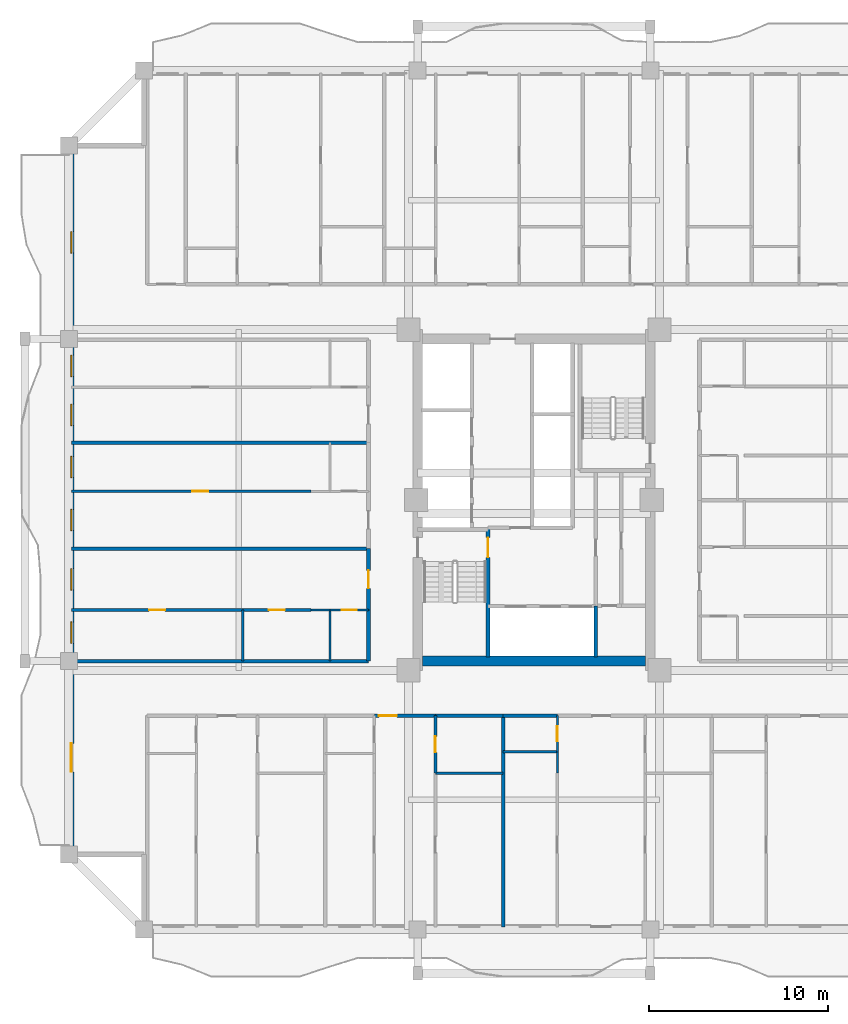
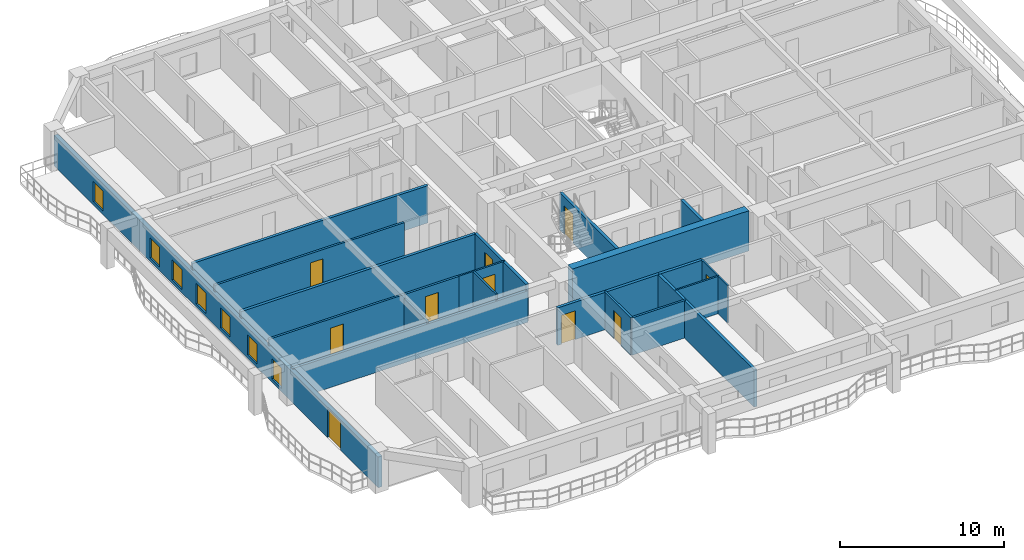
# One storey, part 3 of 14: 25 walls, 10 doors, 7 windows, 17 openings.
"""IFC4 building model written with IfcOpenShell, lengths in metres."""

from ifc_helpers import new_model, si_unit, direction, frame, frame_2d, origin, place, context, subcontext, project, spatial, rectangle, extrude, source, transform, mapped, material, layer, layer_set, type_object, element, fill, save


model = new_model("IFC4")

# Units and contexts
model_context = context("Model", 3, precision=1e-05, world=origin(), true_north=direction((0.0, 1.0)))
body_context = subcontext(model_context, "Body", "Model", "MODEL_VIEW")
ifc_project = project(units=[si_unit("LENGTHUNIT", "METRE"), si_unit("AREAUNIT", "SQUARE_METRE"), si_unit("VOLUMEUNIT", "CUBIC_METRE"), si_unit("PLANEANGLEUNIT", "RADIAN"), si_unit("MASSUNIT", "GRAM", prefix="KILO")], contexts=[model_context])

# Site, building, storey
site_placement = place(None, origin())
site = spatial("IfcSite", under=ifc_project, at=site_placement, CompositionType="ELEMENT")
building_placement = place(site_placement, origin())
building = spatial("IfcBuilding", under=site, at=building_placement, Name="Saelheon Loggia Tower", CompositionType="ELEMENT")
storey_placement = place(building_placement, frame((0.0, 0.0, 86.85009765625)))
storey = spatial("IfcBuildingStorey", under=building, at=storey_placement, Name="L27", CompositionType="ELEMENT", Elevation=86.85009765625)

# Wall
ifc_material_1 = material(Name="Concrete C50/60", Category="concrete")
ifc_layer_1 = layer(ifc_material_1, 0.550048828125)
ifc_layer_set_1 = layer_set([ifc_layer_1], Name="Concrete C50/60")
wall_type_1 = type_object("IfcWallType", Name="Wall_CoreShear_550", PredefinedType="SHEAR", material=ifc_layer_set_1)
wall_1_placement = place(storey_placement, frame((31.77490234375, 18.0, 0.0), z_axis=(0.0, 0.0, 1.0), x_axis=(1.0, 0.0, 0.0)))
element("IfcWall", 1, at=wall_1_placement, inside=storey, type_object=wall_type_1, Name="L27 Core Shear Wall South", PredefinedType="SHEAR", context=body_context, shape_type="SweptSolid", body=[
    extrude(rectangle(XDim=12.4501953125, YDim=0.550048828125, at=frame_2d((6.22509765625, 0.0))), origin(), (0.0, 0.0, 1.0), 3.0),
])

# Wall, openings, windows, door
ifc_material_2 = material(Name="Architectural Precast Concrete C40/50", Category="concrete")
ifc_layer_2 = layer(ifc_material_2, 0.280029296875)
ifc_layer_set_2 = layer_set([ifc_layer_2], Name="Architectural Precast Concrete C40/50")
wall_type_2 = type_object("IfcWallType", Name="Wall_Ext_Loggia_280", PredefinedType="SOLIDWALL", material=ifc_layer_set_2)
wall_2_placement = place(storey_placement, frame((12.139892578125, 7.199951171875, 0.0), z_axis=(0.0, 0.0, 1.0), x_axis=(0.0, 1.0, 0.0)))
wall_2 = element("IfcWall", 2, at=wall_2_placement, inside=storey, type_object=wall_type_2, Name="L27 West Loggia Inner Wall", PredefinedType="SOLIDWALL", context=body_context, shape_type="SweptSolid", body=[
    extrude(rectangle(XDim=39.60009765625, YDim=0.280029296875, at=frame_2d((19.800048828125, 0.0))), origin(), (0.0, 0.0, 1.0), 2.27978515625),
])
opening_1_placement = place(wall_2_placement, frame((4.60009765625, 0.0, 0.0)))
opening_1 = element("IfcOpeningElement", 3, at=opening_1_placement, cuts=wall_2, Name="Opening DLG-1", PredefinedType="OPENING", context=body_context, shape_type="SweptSolid", body=[
    extrude(rectangle(XDim=1.60009765625, YDim=2.14990234375, at=frame_2d((0.800048828125, 1.074951171875))), frame((0.0, 0.152099609375, 0.0), z_axis=(0.0, -1.0, 0.0), x_axis=(1.0, 0.0, 0.0)), (0.0, 0.0, 1.0), 0.303955078125),
])
opening_2_placement = place(wall_2_placement, frame((11.782470703125, 0.0, 0.25)))
opening_2 = element("IfcOpeningElement", 4, at=opening_2_placement, cuts=wall_2, Name="Opening WN-03", PredefinedType="OPENING", context=body_context, shape_type="SweptSolid", body=[
    extrude(rectangle(XDim=1.199951171875, YDim=1.5, at=frame_2d((0.60009765625, 0.75))), frame((0.0, 0.152099609375, 0.0), z_axis=(0.0, -1.0, 0.0), x_axis=(1.0, 0.0, 0.0)), (0.0, 0.0, 1.0), 0.303955078125),
])
opening_3_placement = place(wall_2_placement, frame((14.766357421875, 0.0, 0.25)))
opening_3 = element("IfcOpeningElement", 5, at=opening_3_placement, cuts=wall_2, Name="Opening WN-03", PredefinedType="OPENING", context=body_context, shape_type="SweptSolid", body=[
    extrude(rectangle(XDim=1.199951171875, YDim=1.5, at=frame_2d((0.60009765625, 0.75))), frame((0.0, 0.152099609375, 0.0), z_axis=(0.0, -1.0, 0.0), x_axis=(1.0, 0.0, 0.0)), (0.0, 0.0, 1.0), 0.303955078125),
])
opening_4_placement = place(wall_2_placement, frame((18.081787109375, 0.0, 0.25)))
opening_4 = element("IfcOpeningElement", 6, at=opening_4_placement, cuts=wall_2, Name="Opening WN-03", PredefinedType="OPENING", context=body_context, shape_type="SweptSolid", body=[
    extrude(rectangle(XDim=1.199951171875, YDim=1.5, at=frame_2d((0.60009765625, 0.75))), frame((0.0, 0.152099609375, 0.0), z_axis=(0.0, -1.0, 0.0), x_axis=(1.0, 0.0, 0.0)), (0.0, 0.0, 1.0), 0.303955078125),
])
opening_5_placement = place(wall_2_placement, frame((21.043701171875, 0.0, 0.25)))
opening_5 = element("IfcOpeningElement", 7, at=opening_5_placement, cuts=wall_2, Name="Opening WN-03", PredefinedType="OPENING", context=body_context, shape_type="SweptSolid", body=[
    extrude(rectangle(XDim=1.199951171875, YDim=1.5, at=frame_2d((0.60009765625, 0.75))), frame((0.0, 0.152099609375, 0.0), z_axis=(0.0, -1.0, 0.0), x_axis=(1.0, 0.0, 0.0)), (0.0, 0.0, 1.0), 0.303955078125),
])
opening_6_placement = place(wall_2_placement, frame((23.956787109375, 0.0, 0.25)))
opening_6 = element("IfcOpeningElement", 8, at=opening_6_placement, cuts=wall_2, Name="Opening WN-03", PredefinedType="OPENING", context=body_context, shape_type="SweptSolid", body=[
    extrude(rectangle(XDim=1.199951171875, YDim=1.5, at=frame_2d((0.60009765625, 0.75))), frame((0.0, 0.152099609375, 0.0), z_axis=(0.0, -1.0, 0.0), x_axis=(1.0, 0.0, 0.0)), (0.0, 0.0, 1.0), 0.303955078125),
])
opening_7_placement = place(wall_2_placement, frame((26.6962890625, 0.0, 0.25)))
opening_7 = element("IfcOpeningElement", 9, at=opening_7_placement, cuts=wall_2, Name="Opening WN-03", PredefinedType="OPENING", context=body_context, shape_type="SweptSolid", body=[
    extrude(rectangle(XDim=1.199951171875, YDim=1.5, at=frame_2d((0.60009765625, 0.75))), frame((0.0, 0.152099609375, 0.0), z_axis=(0.0, -1.0, 0.0), x_axis=(1.0, 0.0, 0.0)), (0.0, 0.0, 1.0), 0.303955078125),
])
opening_8_placement = place(wall_2_placement, frame((33.60009765625, 0.0, 0.25)))
opening_8 = element("IfcOpeningElement", 10, at=opening_8_placement, cuts=wall_2, Name="Opening WN-03", PredefinedType="OPENING", context=body_context, shape_type="SweptSolid", body=[
    extrude(rectangle(XDim=1.199951171875, YDim=1.5, at=frame_2d((0.60009765625, 0.75))), frame((0.0, 0.152099609375, 0.0), z_axis=(0.0, -1.0, 0.0), x_axis=(1.0, 0.0, 0.0)), (0.0, 0.0, 1.0), 0.303955078125),
])
ifc_material_3 = material(Name="Thermal-Break Aluminium and Triple Low-E Glass", Category="aluminium")
window_type = type_object("IfcWindowType", Name="Win_Bedroom_1200x1500", PartitioningType="SINGLE_PANEL", PredefinedType="WINDOW", material=ifc_material_3)
shared_shape_1 = source(origin(), body_context, "Body", "SweptSolid", [
    extrude(rectangle(XDim=1.199951171875, YDim=1.5, at=frame_2d((0.60009765625, 0.75))), frame((0.0, 0.030029296875, 0.0), z_axis=(0.0, -1.0, 0.0), x_axis=(1.0, 0.0, 0.0)), (0.0, 0.0, 1.0), 0.06005859375),
])
window_1_placement = place(opening_2_placement, origin())
window_1 = element("IfcWindow", 11, at=window_1_placement, inside=storey, type_object=window_type, Name="L27 W Dwelling Window 2", OverallHeight=1.5, OverallWidth=1.199951171875, PartitioningType="SINGLE_PANEL", PredefinedType="WINDOW", context=body_context, shape_type="MappedRepresentation", body=[
    mapped(shared_shape_1, transform((0.0, 0.0, 0.0), scale=1.0)),
])
fill(opening_2, window_1)
window_2_placement = place(opening_3_placement, origin())
window_2 = element("IfcWindow", 12, at=window_2_placement, inside=storey, type_object=window_type, Name="L27 W Dwelling Window 3", OverallHeight=1.5, OverallWidth=1.199951171875, PartitioningType="SINGLE_PANEL", PredefinedType="WINDOW", context=body_context, shape_type="MappedRepresentation", body=[
    mapped(shared_shape_1, transform((0.0, 0.0, 0.0), scale=1.0)),
])
fill(opening_3, window_2)
window_3_placement = place(opening_4_placement, origin())
window_3 = element("IfcWindow", 13, at=window_3_placement, inside=storey, type_object=window_type, Name="L27 W Dwelling Window 4", OverallHeight=1.5, OverallWidth=1.199951171875, PartitioningType="SINGLE_PANEL", PredefinedType="WINDOW", context=body_context, shape_type="MappedRepresentation", body=[
    mapped(shared_shape_1, transform((0.0, 0.0, 0.0), scale=1.0)),
])
fill(opening_4, window_3)
window_4_placement = place(opening_5_placement, origin())
window_4 = element("IfcWindow", 14, at=window_4_placement, inside=storey, type_object=window_type, Name="L27 W Dwelling Window 5", OverallHeight=1.5, OverallWidth=1.199951171875, PartitioningType="SINGLE_PANEL", PredefinedType="WINDOW", context=body_context, shape_type="MappedRepresentation", body=[
    mapped(shared_shape_1, transform((0.0, 0.0, 0.0), scale=1.0)),
])
fill(opening_5, window_4)
window_5_placement = place(opening_6_placement, origin())
window_5 = element("IfcWindow", 15, at=window_5_placement, inside=storey, type_object=window_type, Name="L27 W Dwelling Window 6", OverallHeight=1.5, OverallWidth=1.199951171875, PartitioningType="SINGLE_PANEL", PredefinedType="WINDOW", context=body_context, shape_type="MappedRepresentation", body=[
    mapped(shared_shape_1, transform((0.0, 0.0, 0.0), scale=1.0)),
])
fill(opening_6, window_5)
window_6_placement = place(opening_7_placement, origin())
window_6 = element("IfcWindow", 16, at=window_6_placement, inside=storey, type_object=window_type, Name="L27 W Dwelling Window 7", OverallHeight=1.5, OverallWidth=1.199951171875, PartitioningType="SINGLE_PANEL", PredefinedType="WINDOW", context=body_context, shape_type="MappedRepresentation", body=[
    mapped(shared_shape_1, transform((0.0, 0.0, 0.0), scale=1.0)),
])
fill(opening_7, window_6)
window_7_placement = place(opening_8_placement, origin())
window_7 = element("IfcWindow", 17, at=window_7_placement, inside=storey, type_object=window_type, Name="L27 W Dwelling Window 8", OverallHeight=1.5, OverallWidth=1.199951171875, PartitioningType="SINGLE_PANEL", PredefinedType="WINDOW", context=body_context, shape_type="MappedRepresentation", body=[
    mapped(shared_shape_1, transform((0.0, 0.0, 0.0), scale=1.0)),
])
fill(opening_8, window_7)
ifc_material_4 = material(Name="Thermal-Break Aluminium Sliding Glazed Door", Category="aluminium")
door_type_1 = type_object("IfcDoorType", Name="Door_LoggiaSlide_1600", OperationType="SLIDING_TO_LEFT", PredefinedType="DOOR", material=ifc_material_4)
shared_shape_2 = source(origin(), body_context, "Body", "SweptSolid", [
    extrude(rectangle(XDim=1.60009765625, YDim=2.14990234375, at=frame_2d((0.800048828125, 1.074951171875))), frame((0.0, 0.02490234375, 0.0), z_axis=(0.0, -1.0, 0.0), x_axis=(1.0, 0.0, 0.0)), (0.0, 0.0, 1.0), 0.050048828125),
])
door_1_placement = place(opening_1_placement, origin())
door_1 = element("IfcDoor", 18, at=door_1_placement, inside=storey, type_object=door_type_1, Name="L27 W Loggia Access Door", OperationType="SLIDING_TO_LEFT", OverallHeight=2.14990234375, OverallWidth=1.60009765625, PredefinedType="DOOR", context=body_context, shape_type="MappedRepresentation", body=[
    mapped(shared_shape_2, transform((0.0, 0.0, 0.0), scale=1.0)),
])
fill(opening_1, door_1)

# Wall
ifc_material_5 = material(Name="Lightweight Autoclaved Aerated Concrete Block and Acoustic Gypsum", Category="concrete")
ifc_layer_3 = layer(ifc_material_5, 0.14990234375)
ifc_layer_set_3 = layer_set([ifc_layer_3], Name="Lightweight Autoclaved Aerated Concrete Block and Acoustic Gypsum")
wall_type_3 = type_object("IfcWallType", Name="Wall_Part_150", PredefinedType="PARTITIONING", material=ifc_layer_set_3)
wall_3_placement = place(storey_placement, frame((32.4912109375, 11.72998046875, 0.0), z_axis=(0.0, 0.0, 1.0), x_axis=(1.0, 0.0, 0.0)))
element("IfcWall", 19, at=wall_3_placement, inside=storey, type_object=wall_type_3, Name="L27 S Partition V18", PredefinedType="PARTITIONING", context=body_context, shape_type="SweptSolid", body=[
    extrude(rectangle(XDim=3.779296875, YDim=0.14990234375, at=frame_2d((1.8896484375, 0.0))), origin(), (0.0, 0.0, 1.0), 2.789794921875),
])

# Wall, opening, door
wall_4_placement = place(storey_placement, frame((32.4912109375, 14.949951171875, 0.0), z_axis=(0.0, 0.0, 1.0), x_axis=(0.0, -1.0, 0.0)))
wall_4 = element("IfcWall", 20, at=wall_4_placement, inside=storey, type_object=wall_type_3, Name="L27 S Partition U22", PredefinedType="PARTITIONING", context=body_context, shape_type="SweptSolid", body=[
    extrude(rectangle(XDim=3.219970703125, YDim=0.14990234375, at=frame_2d((1.60986328125, 0.0))), origin(), (0.0, 0.0, 1.0), 2.789794921875),
])
opening_9_placement = place(wall_4_placement, frame((1.159912109375, 0.0, 0.0)))
opening_9 = element("IfcOpeningElement", 21, at=opening_9_placement, cuts=wall_4, Name="Opening D-IN2", PredefinedType="OPENING", context=body_context, shape_type="SweptSolid", body=[
    extrude(rectangle(XDim=0.89990234375, YDim=2.10009765625, at=frame_2d((0.449951171875, 1.050048828125))), frame((0.0, 0.0869140625, 0.0), z_axis=(0.0, -1.0, 0.0), x_axis=(1.0, 0.0, 0.0)), (0.0, 0.0, 1.0), 0.173828125),
])
ifc_material_6 = material(Name="Engineered Oak Flush Door", Category="timber")
door_type_2 = type_object("IfcDoorType", Name="Door_Int_900", OperationType="NOTDEFINED", PredefinedType="DOOR", material=ifc_material_6)
shared_shape_3 = source(origin(), body_context, "Body", "SweptSolid", [
    extrude(rectangle(XDim=0.89990234375, YDim=2.10009765625, at=frame_2d((0.449951171875, 1.050048828125))), frame((0.0, 0.02490234375, 0.0), z_axis=(0.0, -1.0, 0.0), x_axis=(1.0, 0.0, 0.0)), (0.0, 0.0, 1.0), 0.050048828125),
])
door_2_placement = place(opening_9_placement, origin())
door_2 = element("IfcDoor", 22, at=door_2_placement, inside=storey, type_object=door_type_2, Name="Unit U02 Home Office Door", OperationType="SINGLE_SWING_LEFT", OverallHeight=2.10009765625, OverallWidth=0.89990234375, PredefinedType="DOOR", context=body_context, shape_type="MappedRepresentation", body=[
    mapped(shared_shape_3, transform((0.0, 0.0, 0.0), scale=1.0)),
])
fill(opening_9, door_2)

# Wall
wall_5_placement = place(storey_placement, frame((21.72998046875, 18.0, 0.0), z_axis=(0.0, 0.0, 1.0), x_axis=(0.0, 1.0, 0.0)))
element("IfcWall", 23, at=wall_5_placement, inside=storey, type_object=wall_type_3, Name="L27 W Partition V08", PredefinedType="PARTITIONING", context=body_context, shape_type="SweptSolid", body=[
    extrude(rectangle(XDim=2.85009765625, YDim=0.14990234375, at=frame_2d((1.425048828125, 0.0))), origin(), (0.0, 0.0, 1.0), 2.489990234375),
])

# Wall, opening, door
wall_6_placement = place(storey_placement, frame((25.530029296875, 20.85009765625, 0.0), z_axis=(0.0, 0.0, 1.0), x_axis=(-1.0, 0.0, 0.0)))
wall_6 = element("IfcWall", 24, at=wall_6_placement, inside=storey, type_object=wall_type_3, Name="L27 W Partition U09", PredefinedType="PARTITIONING", context=body_context, shape_type="SweptSolid", body=[
    extrude(rectangle(XDim=3.800048828125, YDim=0.14990234375, at=frame_2d((1.89990234375, 0.0))), origin(), (0.0, 0.0, 1.0), 2.789794921875),
])
opening_10_placement = place(wall_6_placement, frame((1.449951171875, 0.0, 0.0)))
opening_10 = element("IfcOpeningElement", 25, at=opening_10_placement, cuts=wall_6, Name="Opening D-IN2", PredefinedType="OPENING", context=body_context, shape_type="SweptSolid", body=[
    extrude(rectangle(XDim=0.89990234375, YDim=2.10009765625, at=frame_2d((0.449951171875, 1.050048828125))), frame((0.0, 0.0869140625, 0.0), z_axis=(0.0, -1.0, 0.0), x_axis=(1.0, 0.0, 0.0)), (0.0, 0.0, 1.0), 0.173828125),
])
door_3_placement = place(opening_10_placement, origin())
door_3 = element("IfcDoor", 26, at=door_3_placement, inside=storey, type_object=door_type_2, Name="Unit U09 Kitchen Door", OperationType="SINGLE_SWING_RIGHT", OverallHeight=2.10009765625, OverallWidth=0.89990234375, PredefinedType="DOOR", context=body_context, shape_type="MappedRepresentation", body=[
    mapped(shared_shape_3, transform((0.0, 0.0, 0.0), scale=1.0)),
])
fill(opening_10, door_3)

wall_7_placement = place(storey_placement, frame((21.72998046875, 20.85009765625, 0.0), z_axis=(0.0, 0.0, 1.0), x_axis=(-1.0, 0.0, 0.0)))
wall_7 = element("IfcWall", 27, at=wall_7_placement, inside=storey, type_object=wall_type_3, Name="L27 W Partition U10", PredefinedType="PARTITIONING", context=body_context, shape_type="SweptSolid", body=[
    extrude(rectangle(XDim=9.580078125, YDim=0.14990234375, at=frame_2d((4.7900390625, 0.0))), origin(), (0.0, 0.0, 1.0), 2.789794921875),
])
opening_11_placement = place(wall_7_placement, frame((4.340087890625, 0.0, 0.0)))
opening_11 = element("IfcOpeningElement", 28, at=opening_11_placement, cuts=wall_7, Name="Opening D-IN2", PredefinedType="OPENING", context=body_context, shape_type="SweptSolid", body=[
    extrude(rectangle(XDim=0.89990234375, YDim=2.10009765625, at=frame_2d((0.449951171875, 1.050048828125))), frame((0.0, 0.0869140625, 0.0), z_axis=(0.0, -1.0, 0.0), x_axis=(1.0, 0.0, 0.0)), (0.0, 0.0, 1.0), 0.173828125),
])
door_4_placement = place(opening_11_placement, origin())
door_4 = element("IfcDoor", 29, at=door_4_placement, inside=storey, type_object=door_type_2, Name="Unit U09 Bedroom 1 Door", OperationType="SINGLE_SWING_LEFT", OverallHeight=2.10009765625, OverallWidth=0.89990234375, PredefinedType="DOOR", context=body_context, shape_type="MappedRepresentation", body=[
    mapped(shared_shape_3, transform((0.0, 0.0, 0.0), scale=1.0)),
])
fill(opening_11, door_4)

wall_8_placement = place(storey_placement, frame((25.530029296875, 27.481201171875, 0.0), z_axis=(0.0, 0.0, 1.0), x_axis=(-1.0, 0.0, 0.0)))
wall_8 = element("IfcWall", 30, at=wall_8_placement, inside=storey, type_object=wall_type_3, Name="L27 W Partition U17", PredefinedType="PARTITIONING", context=body_context, shape_type="SweptSolid", body=[
    extrude(rectangle(XDim=13.380126953125, YDim=0.14990234375, at=frame_2d((6.68994140625, 0.0))), origin(), (0.0, 0.0, 1.0), 2.789794921875),
])
opening_12_placement = place(wall_8_placement, frame((5.739990234375, 0.0, 0.0)))
opening_12 = element("IfcOpeningElement", 31, at=opening_12_placement, cuts=wall_8, Name="Opening D-IN2", PredefinedType="OPENING", context=body_context, shape_type="SweptSolid", body=[
    extrude(rectangle(XDim=0.89990234375, YDim=2.10009765625, at=frame_2d((0.449951171875, 1.050048828125))), frame((0.0, 0.0869140625, 0.0), z_axis=(0.0, -1.0, 0.0), x_axis=(1.0, 0.0, 0.0)), (0.0, 0.0, 1.0), 0.173828125),
])
door_5_placement = place(opening_12_placement, origin())
door_5 = element("IfcDoor", 32, at=door_5_placement, inside=storey, type_object=door_type_2, Name="Unit U10 Kitchen Door", OperationType="SINGLE_SWING_RIGHT", OverallHeight=2.10009765625, OverallWidth=0.89990234375, PredefinedType="DOOR", context=body_context, shape_type="MappedRepresentation", body=[
    mapped(shared_shape_3, transform((0.0, 0.0, 0.0), scale=1.0)),
])
fill(opening_12, door_5)

ifc_material_7 = material(Name="Double Acoustic Stud and Fireboard Partition", Category="gypsum")
ifc_layer_4 = layer(ifc_material_7, 0.199951171875)
ifc_layer_set_4 = layer_set([ifc_layer_4], Name="Double Acoustic Stud and Fireboard Partition")
wall_type_4 = type_object("IfcWallType", Name="Wall_Party_200", PredefinedType="PARTITIONING", material=ifc_layer_set_4)
wall_9_placement = place(storey_placement, frame((29.0751953125, 14.949951171875, 0.0), z_axis=(0.0, 0.0, 1.0), x_axis=(1.0, 0.0, 0.0)))
wall_9 = element("IfcWall", 33, at=wall_9_placement, inside=storey, type_object=wall_type_4, Name="L27 S Partition V15", PredefinedType="PARTITIONING", context=body_context, shape_type="SweptSolid", body=[
    extrude(rectangle(XDim=3.416015625, YDim=0.199951171875, at=frame_2d((1.7080078125, 0.0))), origin(), (0.0, 0.0, 1.0), 2.789794921875),
])
opening_13_placement = place(wall_9_placement, frame((0.260009765625, 0.0, 0.0)))
opening_13 = element("IfcOpeningElement", 34, at=opening_13_placement, cuts=wall_9, Name="Opening D-FD1", PredefinedType="OPENING", context=body_context, shape_type="SweptSolid", body=[
    extrude(rectangle(XDim=1.0, YDim=2.14990234375, at=frame_2d((0.5, 1.074951171875))), frame((0.0, 0.112060546875, 0.0), z_axis=(0.0, -1.0, 0.0), x_axis=(1.0, 0.0, 0.0)), (0.0, 0.0, 1.0), 0.223876953125),
])
ifc_material_8 = material(Name="Fire-Rated Engineered Timber Entrance Door", Category="wood")
door_type_3 = type_object("IfcDoorType", Name="Door_Flat_FD30S", OperationType="NOTDEFINED", PredefinedType="DOOR", material=ifc_material_8)
shared_shape_4 = source(origin(), body_context, "Body", "SweptSolid", [
    extrude(rectangle(XDim=1.0, YDim=2.14990234375, at=frame_2d((0.5, 1.074951171875))), frame((0.0, 0.02490234375, 0.0), z_axis=(0.0, -1.0, 0.0), x_axis=(1.0, 0.0, 0.0)), (0.0, 0.0, 1.0), 0.050048828125),
])
door_6_placement = place(opening_13_placement, origin())
door_6 = element("IfcDoor", 35, at=door_6_placement, inside=storey, type_object=door_type_3, Name="Unit U02 Entrance Door", OperationType="SINGLE_SWING_RIGHT", OverallHeight=2.14990234375, OverallWidth=1.0, PredefinedType="DOOR", context=body_context, shape_type="MappedRepresentation", body=[
    mapped(shared_shape_4, transform((0.0, 0.0, 0.0), scale=1.0)),
])
fill(opening_13, door_6)

# Walls
wall_10_placement = place(storey_placement, frame((32.4912109375, 14.949951171875, 0.0), z_axis=(0.0, 0.0, 1.0), x_axis=(1.0, 0.0, 0.0)))
element("IfcWall", 36, at=wall_10_placement, inside=storey, type_object=wall_type_4, Name="L27 S Partition V16", PredefinedType="PARTITIONING", context=body_context, shape_type="SweptSolid", body=[
    extrude(rectangle(XDim=3.779296875, YDim=0.199951171875, at=frame_2d((1.8896484375, 0.0))), origin(), (0.0, 0.0, 1.0), 2.789794921875),
])
wall_11_placement = place(storey_placement, frame((36.2705078125, 14.949951171875, 0.0), z_axis=(0.0, 0.0, 1.0), x_axis=(0.0, -1.0, 0.0)))
element("IfcWall", 37, at=wall_11_placement, inside=storey, type_object=wall_type_4, Name="L27 S Partition U24", PredefinedType="PARTITIONING", context=body_context, shape_type="SweptSolid", body=[
    extrude(rectangle(XDim=11.800048828125, YDim=0.199951171875, at=frame_2d((5.89990234375, 0.0))), origin(), (0.0, 0.0, 1.0), 2.789794921875),
])
wall_12_placement = place(storey_placement, frame((36.2705078125, 14.949951171875, 0.0), z_axis=(0.0, 0.0, 1.0), x_axis=(1.0, 0.0, 0.0)))
element("IfcWall", 38, at=wall_12_placement, inside=storey, type_object=wall_type_4, Name="L27 S Partition V25", PredefinedType="PARTITIONING", context=body_context, shape_type="SweptSolid", body=[
    extrude(rectangle(XDim=3.035400390625, YDim=0.199951171875, at=frame_2d((1.517578125, 0.0))), origin(), (0.0, 0.0, 1.0), 2.789794921875),
])
wall_13_placement = place(storey_placement, frame((28.75, 18.0, 0.0), z_axis=(0.0, 0.0, 1.0), x_axis=(-1.0, 0.0, 0.0)))
element("IfcWall", 39, at=wall_13_placement, inside=storey, type_object=wall_type_4, Name="L27 W Partition U01", PredefinedType="PARTITIONING", context=body_context, shape_type="SweptSolid", body=[
    extrude(rectangle(XDim=16.60009765625, YDim=0.199951171875, at=frame_2d((8.300048828125, 0.0))), origin(), (0.0, 0.0, 1.0), 2.33984375),
])
wall_14_placement = place(storey_placement, frame((28.75, 18.0, 0.0), z_axis=(0.0, 0.0, 1.0), x_axis=(0.0, 1.0, 0.0)))
element("IfcWall", 40, at=wall_14_placement, inside=storey, type_object=wall_type_4, Name="L27 W Partition V03", PredefinedType="PARTITIONING", context=body_context, shape_type="SweptSolid", body=[
    extrude(rectangle(XDim=2.85009765625, YDim=0.199951171875, at=frame_2d((1.425048828125, 0.0))), origin(), (0.0, 0.0, 1.0), 2.789794921875),
])

# Wall, opening, door
wall_15_placement = place(storey_placement, frame((28.75, 20.85009765625, 0.0), z_axis=(0.0, 0.0, 1.0), x_axis=(0.0, 1.0, 0.0)))
wall_15 = element("IfcWall", 41, at=wall_15_placement, inside=storey, type_object=wall_type_4, Name="L27 W Partition V04", PredefinedType="PARTITIONING", context=body_context, shape_type="SweptSolid", body=[
    extrude(rectangle(XDim=3.432373046875, YDim=0.199951171875, at=frame_2d((1.71630859375, 0.0))), origin(), (0.0, 0.0, 1.0), 2.789794921875),
])
opening_14_placement = place(wall_15_placement, frame((1.21630859375, 0.0, 0.0)))
opening_14 = element("IfcOpeningElement", 42, at=opening_14_placement, cuts=wall_15, Name="Opening D-FD1", PredefinedType="OPENING", context=body_context, shape_type="SweptSolid", body=[
    extrude(rectangle(XDim=1.0, YDim=2.14990234375, at=frame_2d((0.5, 1.074951171875))), frame((0.0, 0.112060546875, 0.0), z_axis=(0.0, -1.0, 0.0), x_axis=(1.0, 0.0, 0.0)), (0.0, 0.0, 1.0), 0.223876953125),
])
door_7_placement = place(opening_14_placement, origin())
door_7 = element("IfcDoor", 43, at=door_7_placement, inside=storey, type_object=door_type_3, Name="Unit U09 Entrance Door", OperationType="SINGLE_SWING_RIGHT", OverallHeight=2.14990234375, OverallWidth=1.0, PredefinedType="DOOR", context=body_context, shape_type="MappedRepresentation", body=[
    mapped(shared_shape_4, transform((0.0, 0.0, 0.0), scale=1.0)),
])
fill(opening_14, door_7)

# Walls
for number, where, z_axis, x_axis, name in (
    (44, (28.75, 24.282470703125, 0.0), (0.0, 0.0, 1.0), (-1.0, 0.0, 0.0), "L27 W Partition U11"),
    (45, (28.75, 30.2060546875, 0.0), (0.0, 0.0, 1.0), (-1.0, 0.0, 0.0), "L27 W Partition U18"),
):
    element("IfcWall", number, at=place(storey_placement, frame(where, z_axis=z_axis, x_axis=x_axis)), inside=storey, type_object=wall_type_4, Name=name, PredefinedType="PARTITIONING", context=body_context, shape_type="SweptSolid", body=[
        extrude(rectangle(XDim=16.60009765625, YDim=0.199951171875, at=frame_2d((8.300048828125, 0.0))), origin(), (0.0, 0.0, 1.0), 2.789794921875),
    ])
ifc_material_9 = material(Name="Concrete C40/50", Category="concrete")
ifc_layer_5 = layer(ifc_material_9, 0.199951171875)
ifc_layer_set_5 = layer_set([ifc_layer_5], Name="Concrete C40/50")
wall_type_5 = type_object("IfcWallType", Name="Wall_Shaft_200", PredefinedType="PARTITIONING", material=ifc_layer_set_5)
wall_16_placement = place(storey_placement, frame((41.449951171875, 18.219970703125, 0.0), z_axis=(0.0, 0.0, 1.0), x_axis=(0.0, 1.0, 0.0)))
element("IfcWall", 46, at=wall_16_placement, inside=storey, type_object=wall_type_5, Name="CW-INT-L27-BOH-W0", PredefinedType="PARTITIONING", context=body_context, shape_type="SweptSolid", body=[
    extrude(rectangle(XDim=2.860107421875, YDim=0.199951171875, at=frame_2d((1.43017578125, 0.0))), origin(), (0.0, 0.0, 1.0), 2.789794921875),
])

# Wall, opening, door
ifc_material_10 = material(Name="Concrete C45/55", Category="concrete")
ifc_layer_6 = layer(ifc_material_10, 0.199951171875)
ifc_layer_set_6 = layer_set([ifc_layer_6], Name="Concrete C45/55")
wall_type_6 = type_object("IfcWallType", Name="Wall_StairShaft_RC200", PredefinedType="SOLIDWALL", material=ifc_layer_set_6)
wall_17_placement = place(storey_placement, frame((35.429931640625, 18.219970703125, 0.0), z_axis=(0.0, 0.0, 1.0), x_axis=(0.0, 1.0, 0.0)))
wall_17 = element("IfcWall", 47, at=wall_17_placement, inside=storey, type_object=wall_type_6, Name="L27 Stair ST1 Shaft Wall", PredefinedType="SOLIDWALL", context=body_context, shape_type="SweptSolid", body=[
    extrude(rectangle(XDim=7.219970703125, YDim=0.199951171875, at=frame_2d((3.60986328125, 0.0))), origin(), (0.0, 0.0, 1.0), 2.789794921875),
])
opening_15_placement = place(wall_17_placement, frame((6.68017578125, 0.0, 0.0), z_axis=(0.0, 0.0, 1.0), x_axis=(-1.0, 0.0, 0.0)))
opening_15 = element("IfcOpeningElement", 48, at=opening_15_placement, cuts=wall_17, Name="Opening D-FD2", PredefinedType="OPENING", context=body_context, shape_type="SweptSolid", body=[
    extrude(rectangle(XDim=1.10009765625, YDim=2.14990234375, at=frame_2d((0.550048828125, 1.074951171875))), frame((0.0, 0.112060546875, 0.0), z_axis=(0.0, -1.0, 0.0), x_axis=(1.0, 0.0, 0.0)), (0.0, 0.0, 1.0), 0.223876953125),
])
ifc_material_11 = material(Name="Galvanised Steel Fire Door", Category="steel")
door_type_4 = type_object("IfcDoorType", Name="Door_Fire_FD60_1100", OperationType="NOTDEFINED", PredefinedType="DOOR", material=ifc_material_11)
shared_shape_5 = source(origin(), body_context, "Body", "SweptSolid", [
    extrude(rectangle(XDim=1.10009765625, YDim=2.14990234375, at=frame_2d((0.550048828125, 1.074951171875))), frame((0.0, 0.02490234375, 0.0), z_axis=(0.0, -1.0, 0.0), x_axis=(1.0, 0.0, 0.0)), (0.0, 0.0, 1.0), 0.050048828125),
])
door_8_placement = place(opening_15_placement, origin())
door_8 = element("IfcDoor", 49, at=door_8_placement, inside=storey, type_object=door_type_4, Name="L27 Stair ST1 Lobby Door", OperationType="SINGLE_SWING_RIGHT", OverallHeight=2.14990234375, OverallWidth=1.10009765625, PredefinedType="DOOR", context=body_context, shape_type="MappedRepresentation", body=[
    mapped(shared_shape_5, transform((0.0, 0.0, 0.0), scale=1.0)),
])
fill(opening_15, door_8)

# Wall
ifc_material_12 = material(Name="Moisture-Resistant Cement Board Partition", Category="gypsum")
ifc_layer_7 = layer(ifc_material_12, 0.1201171875)
ifc_layer_set_7 = layer_set([ifc_layer_7], Name="Moisture-Resistant Cement Board Partition")
wall_type_7 = type_object("IfcWallType", Name="Wall_WetPart_120", PredefinedType="PARTITIONING", material=ifc_layer_set_7)
wall_18_placement = place(storey_placement, frame((36.2705078125, 12.929931640625, 0.0), z_axis=(0.0, 0.0, 1.0), x_axis=(1.0, 0.0, 0.0)))
element("IfcWall", 50, at=wall_18_placement, inside=storey, type_object=wall_type_7, Name="L27 S Partition V28", PredefinedType="PARTITIONING", context=body_context, shape_type="SweptSolid", body=[
    extrude(rectangle(XDim=3.035400390625, YDim=0.1201171875, at=frame_2d((1.517578125, 0.0))), origin(), (0.0, 0.0, 1.0), 2.789794921875),
])

# Wall, opening, door
wall_19_placement = place(storey_placement, frame((39.305908203125, 14.949951171875, 0.0), z_axis=(0.0, 0.0, 1.0), x_axis=(0.0, -1.0, 0.0)))
wall_19 = element("IfcWall", 51, at=wall_19_placement, inside=storey, type_object=wall_type_7, Name="L27 S Partition U30", PredefinedType="PARTITIONING", context=body_context, shape_type="SweptSolid", body=[
    extrude(rectangle(XDim=2.02001953125, YDim=0.1201171875, at=frame_2d((1.010009765625, 0.0))), origin(), (0.0, 0.0, 1.0), 2.789794921875),
])
opening_16_placement = place(wall_19_placement, frame((0.5849609375, 0.0, 0.0)))
opening_16 = element("IfcOpeningElement", 52, at=opening_16_placement, cuts=wall_19, Name="Opening D-BT1", PredefinedType="OPENING", context=body_context, shape_type="SweptSolid", body=[
    extrude(rectangle(XDim=0.85009765625, YDim=2.050048828125, at=frame_2d((0.425048828125, 1.02490234375))), frame((0.0, 0.072021484375, 0.0), z_axis=(0.0, -1.0, 0.0), x_axis=(1.0, 0.0, 0.0)), (0.0, 0.0, 1.0), 0.14404296875),
])
ifc_material_13 = material(Name="Moisture-Resistant Laminate Timber Door", Category="wood")
door_type_5 = type_object("IfcDoorType", Name="Door_Bath_850", OperationType="NOTDEFINED", PredefinedType="DOOR", material=ifc_material_13)
shared_shape_6 = source(origin(), body_context, "Body", "SweptSolid", [
    extrude(rectangle(XDim=0.85009765625, YDim=2.050048828125, at=frame_2d((0.425048828125, 1.02490234375))), frame((0.0, 0.02490234375, 0.0), z_axis=(0.0, -1.0, 0.0), x_axis=(1.0, 0.0, 0.0)), (0.0, 0.0, 1.0), 0.050048828125),
])
door_9_placement = place(opening_16_placement, origin())
door_9 = element("IfcDoor", 53, at=door_9_placement, inside=storey, type_object=door_type_5, Name="Unit U03 Bathroom Door", OperationType="SINGLE_SWING_RIGHT", OverallHeight=2.050048828125, OverallWidth=0.85009765625, PredefinedType="DOOR", context=body_context, shape_type="MappedRepresentation", body=[
    mapped(shared_shape_6, transform((0.0, 0.0, 0.0), scale=1.0)),
])
fill(opening_16, door_9)

# Wall
wall_20_placement = place(storey_placement, frame((39.305908203125, 12.929931640625, 0.0), z_axis=(0.0, 0.0, 1.0), x_axis=(0.0, -1.0, 0.0)))
element("IfcWall", 54, at=wall_20_placement, inside=storey, type_object=wall_type_7, Name="L27 S Partition U31", PredefinedType="PARTITIONING", context=body_context, shape_type="SweptSolid", body=[
    extrude(rectangle(XDim=1.199951171875, YDim=0.1201171875, at=frame_2d((0.60009765625, 0.0))), origin(), (0.0, 0.0, 1.0), 2.789794921875),
])

# Wall, opening, door
wall_21_placement = place(storey_placement, frame((28.75, 20.85009765625, 0.0), z_axis=(0.0, 0.0, 1.0), x_axis=(-1.0, 0.0, 0.0)))
wall_21 = element("IfcWall", 55, at=wall_21_placement, inside=storey, type_object=wall_type_7, Name="L27 W Partition U05", PredefinedType="PARTITIONING", context=body_context, shape_type="SweptSolid", body=[
    extrude(rectangle(XDim=2.14990234375, YDim=0.1201171875, at=frame_2d((1.074951171875, 0.0))), origin(), (0.0, 0.0, 1.0), 2.789794921875),
])
opening_17_placement = place(wall_21_placement, frame((0.64990234375, 0.0, 0.0)))
opening_17 = element("IfcOpeningElement", 56, at=opening_17_placement, cuts=wall_21, Name="Opening D-BT1", PredefinedType="OPENING", context=body_context, shape_type="SweptSolid", body=[
    extrude(rectangle(XDim=0.85009765625, YDim=2.050048828125, at=frame_2d((0.425048828125, 1.02490234375))), frame((0.0, 0.072021484375, 0.0), z_axis=(0.0, -1.0, 0.0), x_axis=(1.0, 0.0, 0.0)), (0.0, 0.0, 1.0), 0.14404296875),
])
door_10_placement = place(opening_17_placement, origin())
door_10 = element("IfcDoor", 57, at=door_10_placement, inside=storey, type_object=door_type_5, Name="Unit U09 Bathroom Door", OperationType="SINGLE_SWING_LEFT", OverallHeight=2.050048828125, OverallWidth=0.85009765625, PredefinedType="DOOR", context=body_context, shape_type="MappedRepresentation", body=[
    mapped(shared_shape_6, transform((0.0, 0.0, 0.0), scale=1.0)),
])
fill(opening_17, door_10)

# Walls
wall_22_placement = place(storey_placement, frame((26.60009765625, 20.85009765625, 0.0), z_axis=(0.0, 0.0, 1.0), x_axis=(-1.0, 0.0, 0.0)))
element("IfcWall", 58, at=wall_22_placement, inside=storey, type_object=wall_type_7, Name="L27 W Partition U06", PredefinedType="PARTITIONING", context=body_context, shape_type="SweptSolid", body=[
    extrude(rectangle(XDim=1.070068359375, YDim=0.1201171875, at=frame_2d((0.53515625, 0.0))), origin(), (0.0, 0.0, 1.0), 2.789794921875),
])
wall_23_placement = place(storey_placement, frame((26.60009765625, 18.0, 0.0), z_axis=(0.0, 0.0, 1.0), x_axis=(0.0, 1.0, 0.0)))
element("IfcWall", 59, at=wall_23_placement, inside=storey, type_object=wall_type_7, Name="L27 W Partition V07", PredefinedType="PARTITIONING", context=body_context, shape_type="SweptSolid", body=[
    extrude(rectangle(XDim=2.85009765625, YDim=0.1201171875, at=frame_2d((1.425048828125, 0.0))), origin(), (0.0, 0.0, 1.0), 2.789794921875),
])

save(model, "model.ifc")
